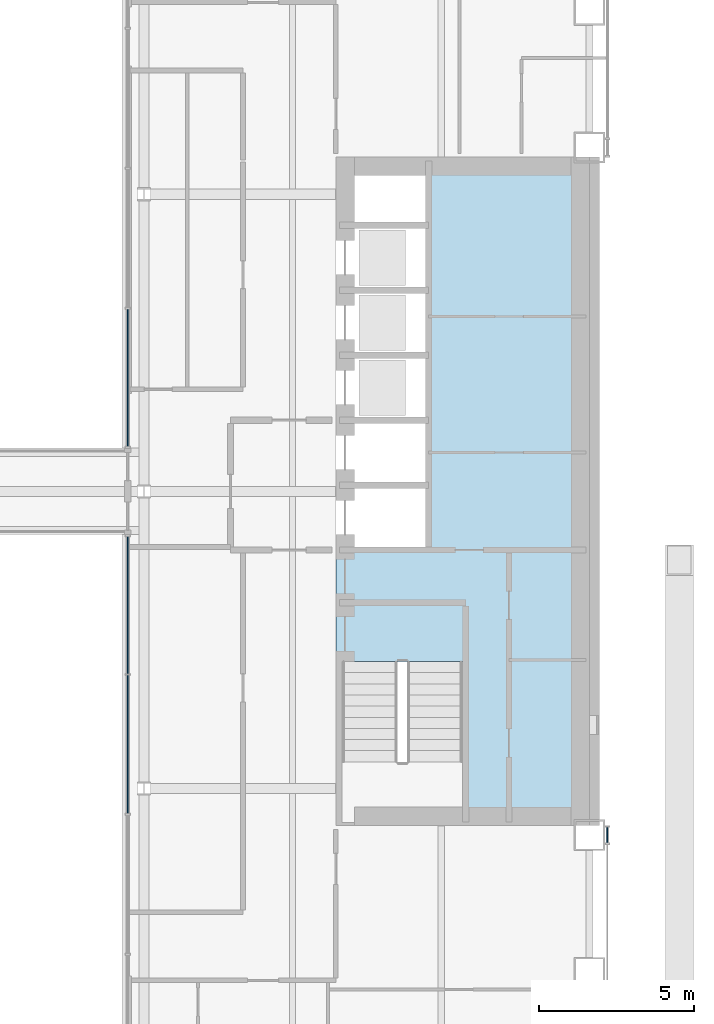
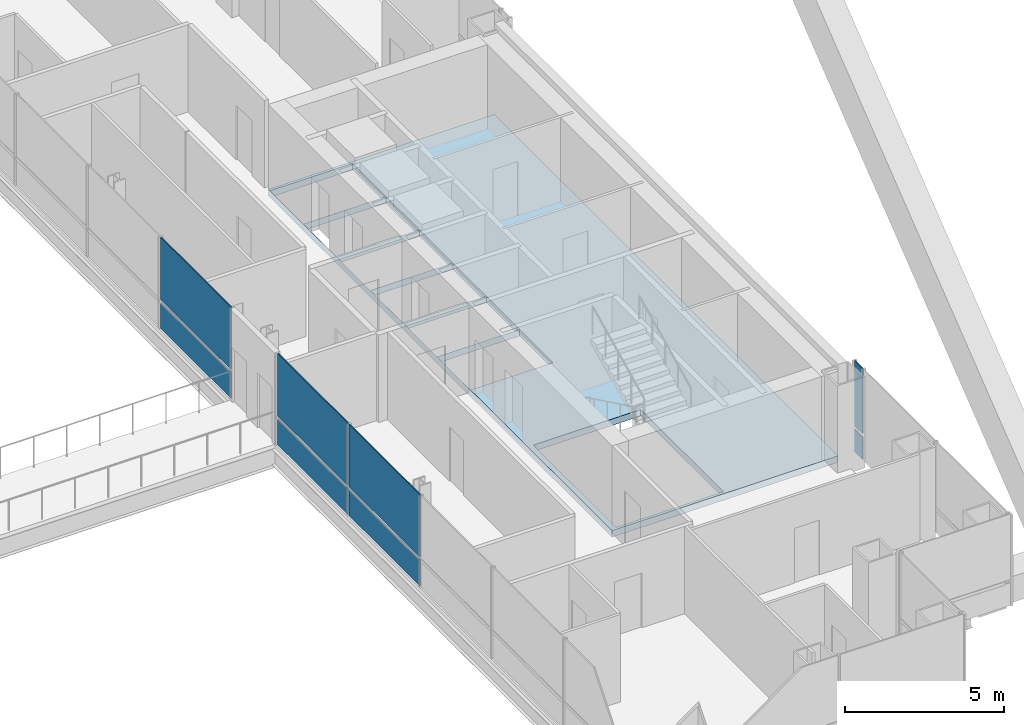
# One storey, part 11 of 19: 8 plates, 1 slab, 3 elements without a shape of their own.
"""IFC4 building model written with IfcOpenShell, lengths in metres."""

from ifc_helpers import new_model, si_unit, direction, frame, origin, origin_2d, place, context, subcontext, project, spatial, polyline, rectangle, outline, extrude, material, layer, layer_set, type_object, element, aggregate, save


model = new_model("IFC4")

# Units and contexts
model_context = context("Model", 3, precision=1e-05, world=origin(), true_north=direction((0.0, 1.0)))
body_context = subcontext(model_context, "Body", "Model", "MODEL_VIEW")
ifc_project = project(units=[si_unit("LENGTHUNIT", "METRE"), si_unit("AREAUNIT", "SQUARE_METRE"), si_unit("VOLUMEUNIT", "CUBIC_METRE"), si_unit("PLANEANGLEUNIT", "RADIAN"), si_unit("MASSUNIT", "GRAM", prefix="KILO")], contexts=[model_context])

# Site, building, storey
site_placement = place(None, origin())
site = spatial("IfcSite", under=ifc_project, at=site_placement, CompositionType="ELEMENT")
building_placement = place(site_placement, origin())
building = spatial("IfcBuilding", under=site, at=building_placement, Name="Cobrizo Arcos Hotel Tower", CompositionType="ELEMENT")
storey_placement = place(building_placement, frame((0.0, 0.0, 70.5)))
storey = spatial("IfcBuildingStorey", under=building, at=storey_placement, Name="L16", CompositionType="ELEMENT", Elevation=70.5)

# Curtain wall, plates
ifc_material_1 = material(Name="Aluminium 6063-T6 anodised bronze", Category="aluminium")
curtain_wall_type_1 = type_object("IfcCurtainWallType", Name="CW-A guest facade", PredefinedType="NOTDEFINED", material=ifc_material_1)
curtain_wall_1_placement = place(storey_placement, origin())
curtain_wall_1 = element("IfcCurtainWall", 1, at=curtain_wall_1_placement, inside=storey, type_object=curtain_wall_type_1, Name="CW-A L16 E face", PredefinedType="NOTDEFINED")
ifc_material_2 = material(Name="Glass clear laminated low-e", Category="glass")
ifc_layer_1 = layer(ifc_material_2, 0.0400390625)
ifc_layer_set_1 = layer_set([ifc_layer_1], Name="CW-A glass panel")
plate_type_1 = type_object("IfcPlateType", Name="CW-A glass panel", PredefinedType="CURTAIN_PANEL", material=ifc_layer_set_1)
plate_1_placement = place(storey_placement, frame((24.574951171875, -11.109375, 0.990234375), z_axis=(0.0, 0.0, 1.0), x_axis=(0.0, 1.0, 0.0)))
plate_1 = element("IfcPlate", 2, at=plate_1_placement, type_object=plate_type_1, Name="CW-A glass panel 695", PredefinedType="CURTAIN_PANEL", context=body_context, shape_type="SweptSolid", body=[
    extrude(rectangle(XDim=0.498779296875, YDim=0.0400390625, at=origin_2d()), origin(), (0.0, 0.0, 1.0), 2.510009765625),
])
ifc_material_3 = material(Name="Aluminium composite panel pale metal", Category="aluminium")
ifc_layer_2 = layer(ifc_material_3, 0.0400390625)
ifc_layer_set_2 = layer_set([ifc_layer_2], Name="CW-A spandrel panel")
plate_type_2 = type_object("IfcPlateType", Name="CW-A spandrel panel", PredefinedType="CURTAIN_PANEL", material=ifc_layer_set_2)
plate_2_placement = place(storey_placement, frame((24.574951171875, -11.109375, 0.0), z_axis=(0.0, 0.0, 1.0), x_axis=(0.0, 1.0, 0.0)))
plate_2 = element("IfcPlate", 3, at=plate_2_placement, type_object=plate_type_2, Name="CW-A spandrel panel 695", PredefinedType="CURTAIN_PANEL", context=body_context, shape_type="SweptSolid", body=[
    extrude(rectangle(XDim=0.498779296875, YDim=0.0400390625, at=origin_2d()), origin(), (0.0, 0.0, 1.0), 0.8701171875),
])
aggregate(curtain_wall_1, [plate_2, plate_1])

curtain_wall_type_2 = type_object("IfcCurtainWallType", Name="CW-F void screen", PredefinedType="NOTDEFINED", material=ifc_material_1)
curtain_wall_2_placement = place(storey_placement, origin())
curtain_wall_2 = element("IfcCurtainWall", 4, at=curtain_wall_2_placement, inside=storey, type_object=curtain_wall_type_2, Name="CW-F L16 void screen A", PredefinedType="NOTDEFINED")
ifc_layer_3 = layer(ifc_material_2, 0.0400390625)
ifc_layer_set_3 = layer_set([ifc_layer_3], Name="CW-F glass panel")
plate_type_3 = type_object("IfcPlateType", Name="CW-F glass panel", PredefinedType="CURTAIN_PANEL", material=ifc_layer_set_3)
plate_3_placement = place(storey_placement, frame((9.074951171875, -8.179931640625, 0.0), z_axis=(0.0, 0.0, 1.0), x_axis=(0.0, 1.0, 0.0)))
plate_3 = element("IfcPlate", 5, at=plate_3_placement, type_object=plate_type_3, Name="CW-F glass panel 2491", PredefinedType="CURTAIN_PANEL", context=body_context, shape_type="SweptSolid", body=[
    extrude(rectangle(XDim=4.4599609375, YDim=0.0400390625, at=origin_2d()), origin(), (0.0, 0.0, 1.0), 0.989990234375),
])
plate_4_placement = place(storey_placement, frame((9.074951171875, -8.179931640625, 1.10986328125), z_axis=(0.0, 0.0, 1.0), x_axis=(0.0, 1.0, 0.0)))
plate_4 = element("IfcPlate", 6, at=plate_4_placement, type_object=plate_type_3, Name="CW-F glass panel 2491", PredefinedType="CURTAIN_PANEL", context=body_context, shape_type="SweptSolid", body=[
    extrude(rectangle(XDim=4.4599609375, YDim=0.0400390625, at=origin_2d()), origin(), (0.0, 0.0, 1.0), 2.389892578125),
])
plate_5_placement = place(storey_placement, frame((9.074951171875, -3.675048828125, 0.0), z_axis=(0.0, 0.0, 1.0), x_axis=(0.0, 1.0, 0.0)))
plate_5 = element("IfcPlate", 7, at=plate_5_placement, type_object=plate_type_3, Name="CW-F glass panel 2492", PredefinedType="CURTAIN_PANEL", context=body_context, shape_type="SweptSolid", body=[
    extrude(rectangle(XDim=4.429931640625, YDim=0.0400390625, at=origin_2d()), origin(), (0.0, 0.0, 1.0), 0.989990234375),
])
plate_6_placement = place(storey_placement, frame((9.074951171875, -3.675048828125, 1.10986328125), z_axis=(0.0, 0.0, 1.0), x_axis=(0.0, 1.0, 0.0)))
plate_6 = element("IfcPlate", 8, at=plate_6_placement, type_object=plate_type_3, Name="CW-F glass panel 2492", PredefinedType="CURTAIN_PANEL", context=body_context, shape_type="SweptSolid", body=[
    extrude(rectangle(XDim=4.429931640625, YDim=0.0400390625, at=origin_2d()), origin(), (0.0, 0.0, 1.0), 2.389892578125),
])
aggregate(curtain_wall_2, [plate_3, plate_4, plate_5, plate_6])

curtain_wall_3_placement = place(storey_placement, origin())
curtain_wall_3 = element("IfcCurtainWall", 9, at=curtain_wall_3_placement, inside=storey, type_object=curtain_wall_type_2, Name="CW-F L16 void screen A", PredefinedType="NOTDEFINED")
plate_7_placement = place(storey_placement, frame((9.074951171875, 3.675048828125, 0.0), z_axis=(0.0, 0.0, 1.0), x_axis=(0.0, 1.0, 0.0)))
plate_7 = element("IfcPlate", 10, at=plate_7_placement, type_object=plate_type_3, Name="CW-F glass panel 2493", PredefinedType="CURTAIN_PANEL", context=body_context, shape_type="SweptSolid", body=[
    extrude(rectangle(XDim=4.429931640625, YDim=0.0400390625, at=origin_2d()), origin(), (0.0, 0.0, 1.0), 0.989990234375),
])
plate_8_placement = place(storey_placement, frame((9.074951171875, 3.675048828125, 1.10986328125), z_axis=(0.0, 0.0, 1.0), x_axis=(0.0, 1.0, 0.0)))
plate_8 = element("IfcPlate", 11, at=plate_8_placement, type_object=plate_type_3, Name="CW-F glass panel 2493", PredefinedType="CURTAIN_PANEL", context=body_context, shape_type="SweptSolid", body=[
    extrude(rectangle(XDim=4.429931640625, YDim=0.0400390625, at=origin_2d()), origin(), (0.0, 0.0, 1.0), 2.389892578125),
])
aggregate(curtain_wall_3, [plate_7, plate_8])

# Slab
ifc_material_4 = material(Name="Concrete f'c 60 MPa", Category="concrete")
ifc_layer_4 = layer(ifc_material_4, 0.25)
ifc_layer_set_4 = layer_set([ifc_layer_4], Name="RC core floor slab 250 f'c 60")
slab_type = type_object("IfcSlabType", Name="RC core floor slab 250 f'c 60", PredefinedType="FLOOR", material=ifc_layer_set_4)
slab_placement = place(storey_placement, frame((0.0, 0.0, -0.25)))
element("IfcSlab", 12, at=slab_placement, inside=storey, type_object=slab_type, Name="Core floor slab CS3, east core, L16", PredefinedType="FLOOR", context=body_context, shape_type="SweptSolid", body=[
    extrude(outline(polyline([(15.800048828125, 10.800048828125), (24.0, 10.800048828125), (24.0, -10.800048828125), (15.800048828125, -10.800048828125), (15.800048828125, 10.800048828125)]), holes=[polyline([(19.89794921875, -10.697998046875), (19.89794921875, -5.501953125), (16.001953125, -5.501953125), (16.001953125, -10.697998046875), (19.89794921875, -10.697998046875)]), polyline([(15.802001953125, 0.197998046875), (15.802001953125, -1.89794921875), (18.798095703125, -1.89794921875), (18.798095703125, 0.197998046875), (15.802001953125, 0.197998046875)]), polyline([(18.798095703125, 2.298095703125), (15.802001953125, 2.298095703125), (15.802001953125, 0.201904296875), (18.798095703125, 0.201904296875), (18.798095703125, 2.298095703125)]), polyline([(18.798095703125, 4.39794921875), (15.802001953125, 4.39794921875), (15.802001953125, 2.302001953125), (18.798095703125, 2.302001953125), (18.798095703125, 4.39794921875)]), polyline([(15.802001953125, 6.498046875), (15.802001953125, 4.402099609375), (18.798095703125, 4.402099609375), (18.798095703125, 6.498046875), (15.802001953125, 6.498046875)]), polyline([(18.798095703125, 8.597900390625), (15.802001953125, 8.597900390625), (15.802001953125, 6.501953125), (18.798095703125, 6.501953125), (18.798095703125, 8.597900390625)]), polyline([(18.798095703125, 10.697998046875), (15.802001953125, 10.697998046875), (15.802001953125, 8.60205078125), (18.798095703125, 8.60205078125), (18.798095703125, 10.697998046875)])]), origin(), (0.0, 0.0, 1.0), 0.25),
])

save(model, "model.ifc")
